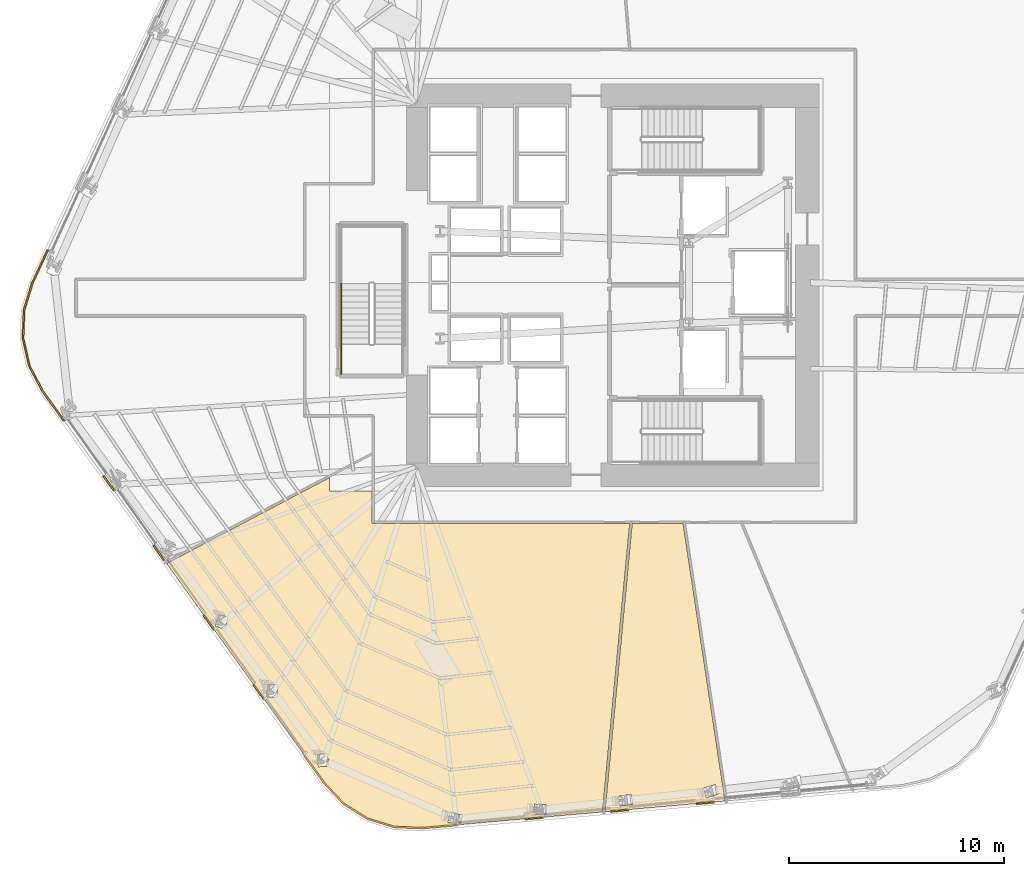
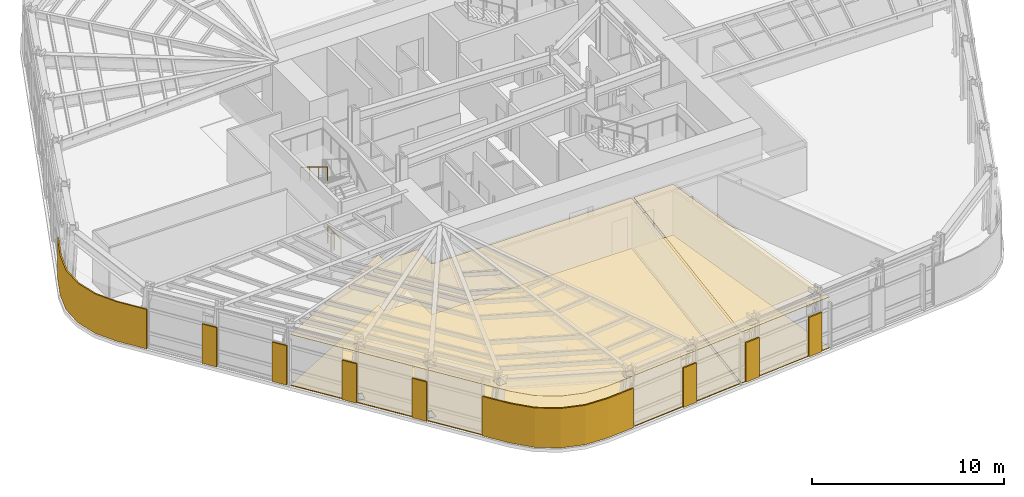
# One storey, part 10 of 16: 13 coverings, 2 railings.
"""IFC4 building model written with IfcOpenShell, lengths in metres."""

import ifcopenshell
import ifcopenshell.guid

model = None  # the IFC model being written
_history = None  # IfcOwnerHistory: only IFC2X3 demands one
_inside = {}  # id of a spatial element -> (the spatial element, [elements in it])
_under = {}  # id of a project, library or spatial element -> (it, [spatial elements below it])
_declared = {}  # id of a project -> (the project, [libraries it declares])
_typed = {}  # id of a type object -> (the type object, [elements of that type])
_made_of = {}  # id of a material, layer set ... -> (it, [elements and type objects made of it])


def new_model(schema):
    """Start an empty IFC model of exactly this schema.

    Asked for "IFC4X3", IfcOpenShell would pick the latest addendum, in which some entities
    have other attributes; the version numbers below select the first issue.
    IFC2X3 requires an IfcOwnerHistory on every rooted entity: one is made here for all.
    """
    global model, _history
    if schema == "IFC4X3":
        model = ifcopenshell.file(schema_version=(4, 3, 0, 0))
    else:
        model = ifcopenshell.file(schema=schema)
    _inside.clear()
    _under.clear()
    _declared.clear()
    _typed.clear()
    _made_of.clear()
    _history = None
    if model.schema == "IFC2X3":
        org = make("IfcOrganization", Name="unknown")
        user = make(
            "IfcPersonAndOrganization",
            ThePerson=make("IfcPerson", FamilyName="unknown"),
            TheOrganization=org,
        )
        app = make(
            "IfcApplication",
            ApplicationDeveloper=org,
            Version="unknown",
            ApplicationFullName="unknown",
            ApplicationIdentifier="unknown",
        )
        _history = make(
            "IfcOwnerHistory",
            OwningUser=user,
            OwningApplication=app,
            ChangeAction="ADDED",
            CreationDate=0,
        )
    return model


def make(cls, **values):
    """One entity of the class cls with the attributes given. An attribute that is None is left unset."""
    return model.create_entity(
        cls, **{name: value for name, value in values.items() if value is not None}
    )


def rooted(cls, **values):
    """An entity with a GlobalId (a new one), such as an element, a storey or a relation."""
    return make(cls, GlobalId=ifcopenshell.guid.new(), OwnerHistory=_history, **values)


def si_unit(unit_type, name, prefix=None):
    """IfcSIUnit, for example si_unit("LENGTHUNIT", "METRE", prefix="MILLI")."""
    return make("IfcSIUnit", UnitType=unit_type, Prefix=prefix, Name=name)


def assignment(units):
    """IfcUnitAssignment: the units of a project."""
    return None if units is None else make("IfcUnitAssignment", Units=units)


def point(xyz):
    """IfcCartesianPoint."""
    return None if xyz is None else make("IfcCartesianPoint", Coordinates=xyz)


def direction(xyz):
    """IfcDirection."""
    return None if xyz is None else make("IfcDirection", DirectionRatios=xyz)


def frame(location, z_axis=None, x_axis=None):
    """IfcAxis2Placement3D, a coordinate frame: its origin and axes. An axis left out is left unset."""
    return make(
        "IfcAxis2Placement3D",
        Location=point(location),
        Axis=direction(z_axis),
        RefDirection=direction(x_axis),
    )


def frame_2d(location, x_axis=None):
    """IfcAxis2Placement2D, a coordinate frame in the plane: its origin and x axis."""
    return make(
        "IfcAxis2Placement2D", Location=point(location), RefDirection=direction(x_axis)
    )


def origin():
    """The frame at (0, 0, 0) with its axes left unset."""
    return frame((0.0, 0.0, 0.0))


def origin_2d():
    """The frame at (0, 0) in the plane with its x axis left unset."""
    return frame_2d((0.0, 0.0))


def place(relative_to, where):
    """IfcLocalPlacement: puts the frame where relative to a parent placement (None: the world)."""
    return make(
        "IfcLocalPlacement", PlacementRelTo=relative_to, RelativePlacement=where
    )


def context(
    kind, dimensions, precision=None, world=None, true_north=None, identifier=None
):
    """IfcGeometricRepresentationContext, for example the 3D "Model" context."""
    return make(
        "IfcGeometricRepresentationContext",
        ContextIdentifier=identifier,
        ContextType=kind,
        CoordinateSpaceDimension=dimensions,
        Precision=precision,
        WorldCoordinateSystem=world,
        TrueNorth=true_north,
    )


def subcontext(parent, identifier, kind, view, scale=None):
    """IfcGeometricRepresentationSubContext, for example "Body" below "Model"."""
    return make(
        "IfcGeometricRepresentationSubContext",
        ContextIdentifier=identifier,
        ContextType=kind,
        ParentContext=parent,
        TargetScale=scale,
        TargetView=view,
    )


def project(units=None, contexts=None):
    """IfcProject with its units and contexts."""
    return rooted(
        "IfcProject",
        Name="project",
        RepresentationContexts=contexts,
        UnitsInContext=assignment(units),
    )


def spatial(cls, under=None, at=None, **own):
    """A site, building, storey or space (cls), placed at a placement, below another one or the project."""
    s = rooted(cls, ObjectPlacement=at, **own)
    if under is not None:
        _under.setdefault(under.id(), (under, []))[1].append(s)
    return s


def polyline(points):
    """IfcPolyline through the points."""
    return make("IfcPolyline", Points=[point(p) for p in points])


def profile(cls, at=None, kind="AREA", **sizes):
    """A parametric profile (cls). Its sizes go by their IFC names, for example OverallWidth=200.0."""
    return make(cls, ProfileType=kind, Position=at, **sizes)


def circle(**sizes):
    """IfcCircleProfileDef."""
    return profile("IfcCircleProfileDef", **sizes)


def outline(outer, holes=None, kind="AREA"):
    """IfcArbitraryClosedProfileDef: a profile drawn as a closed curve; with holes, ...WithVoids."""
    if holes is None:
        return make("IfcArbitraryClosedProfileDef", ProfileType=kind, OuterCurve=outer)
    return make(
        "IfcArbitraryProfileDefWithVoids",
        ProfileType=kind,
        OuterCurve=outer,
        InnerCurves=holes,
    )


def extrude(swept, where, along, depth):
    """IfcExtrudedAreaSolid: the profile swept, set in the frame where, extruded along a direction by depth."""
    return make(
        "IfcExtrudedAreaSolid",
        SweptArea=swept,
        Position=where,
        ExtrudedDirection=direction(along),
        Depth=depth,
    )


def shape(context_of_items, identifier, shape_type, items):
    """IfcShapeRepresentation: the items that make up one representation, for example the "Body"."""
    return make(
        "IfcShapeRepresentation",
        ContextOfItems=context_of_items,
        RepresentationIdentifier=identifier,
        RepresentationType=shape_type,
        Items=items,
    )


def material(Name=None, Category=None):
    """IfcMaterial."""
    return make("IfcMaterial", Name=Name, Category=Category)


def layer(
    of_material, thickness, ventilated=None, Name=None, Category=None, Priority=None
):
    """IfcMaterialLayer: one layer of a wall or slab, of a material (None: an air gap)."""
    return make(
        "IfcMaterialLayer",
        Material=of_material,
        LayerThickness=thickness,
        IsVentilated=ventilated,
        Name=Name,
        Category=Category,
        Priority=Priority,
    )


def layer_set(layers, Name=None):
    """IfcMaterialLayerSet."""
    return make("IfcMaterialLayerSet", MaterialLayers=layers, LayerSetName=Name)


def made_of(thing, what):
    """Note that an element or type object is made of a material, layer set ...; save() writes the relation."""
    if what is not None:
        _made_of.setdefault(what.id(), (what, []))[1].append(thing)
    return thing


def type_object(cls, material=None, **own):
    """A type object (cls), such as IfcWallType, which elements share."""
    return made_of(rooted(cls, **own), material)


def element(
    cls,
    number,
    at=None,
    inside=None,
    cuts=None,
    type_object=None,
    material=None,
    context=None,
    identifier="Body",
    shape_type=None,
    held_by="IfcProductDefinitionShape",
    body=None,
    shapes=None,
    **own,
):
    """One element of the class cls, such as IfcWall. Its Tag is "e" and its number.

    at: its placement. inside: the storey or other place that contains it. cuts: it is an
    opening in that element (IfcRelVoidsElement). A single representation is given by context,
    identifier, shape_type and body (its items); several are given by shapes. held_by: the class
    of the entity that holds the representations. save() writes the other relations.
    """
    e = rooted(cls, Tag="e%d" % number, ObjectPlacement=at, **own)
    if body is not None:
        shapes = [shape(context, identifier, shape_type, body)]
    if shapes is not None:
        e.Representation = make(held_by, Representations=shapes)
    if inside is not None:
        _inside.setdefault(inside.id(), (inside, []))[1].append(e)
    if cuts is not None:
        rooted(
            "IfcRelVoidsElement", RelatingBuildingElement=cuts, RelatedOpeningElement=e
        )
    if type_object is not None:
        _typed.setdefault(type_object.id(), (type_object, []))[1].append(e)
    return made_of(e, material)


def aggregate(whole, parts):
    """IfcRelAggregates: a whole, such as a stair, and the parts it consists of."""
    return rooted("IfcRelAggregates", RelatingObject=whole, RelatedObjects=parts)


def save(model, path):
    """Write the relations noted so far, then the file.

    IfcRelAggregates (storeys below a building ...), IfcRelContainedInSpatialStructure (elements
    in a storey), IfcRelDefinesByType, IfcRelAssociatesMaterial and IfcRelDeclares: one each for
    every whole, place, type object, material and project.
    """
    for whole, parts in _under.values():
        aggregate(whole, parts)
    for where, things in _inside.values():
        rooted(
            "IfcRelContainedInSpatialStructure",
            RelatedElements=things,
            RelatingStructure=where,
        )
    for kind, things in _typed.values():
        rooted("IfcRelDefinesByType", RelatedObjects=things, RelatingType=kind)
    for what, things in _made_of.values():
        rooted("IfcRelAssociatesMaterial", RelatedObjects=things, RelatingMaterial=what)
    for by, libraries in _declared.values():
        rooted("IfcRelDeclares", RelatingContext=by, RelatedDefinitions=libraries)
    model.write(path)


model = new_model("IFC4")

# Units and contexts
model_context = context("Model", 3, precision=1e-05, world=origin(), true_north=direction((0.0, 1.0)))
body_context = subcontext(model_context, "Body", "Model", "MODEL_VIEW")
ifc_project = project(units=[si_unit("LENGTHUNIT", "METRE"), si_unit("AREAUNIT", "SQUARE_METRE"), si_unit("VOLUMEUNIT", "CUBIC_METRE"), si_unit("PLANEANGLEUNIT", "RADIAN"), si_unit("MASSUNIT", "GRAM", prefix="KILO")], contexts=[model_context])

# Site, building, storey
site_placement = place(None, origin())
site = spatial("IfcSite", under=ifc_project, at=site_placement, CompositionType="ELEMENT")
building_placement = place(site_placement, origin())
building = spatial("IfcBuilding", under=site, at=building_placement, Name="Valkerne Bourse Tower", CompositionType="ELEMENT")
storey_placement = place(building_placement, frame((0.0, 0.0, 46.800048828125)))
storey = spatial("IfcBuildingStorey", under=building, at=storey_placement, Name="L11", CompositionType="ELEMENT", Elevation=46.800048828125)

# Coverings
ifc_material_1 = material(Name="Mineral Fiber Acoustic Ceiling Tile", Category="acoustic")
ifc_layer_1 = layer(ifc_material_1, 0.02490234375)
ifc_layer_set_1 = layer_set([ifc_layer_1], Name="Mineral Fiber Acoustic Ceiling Tile")
covering_type_1 = type_object("IfcCoveringType", Name="COV-CEIL-ACT", PredefinedType="CEILING", material=ifc_layer_set_1)
covering_1_placement = place(storey_placement, frame((0.0, 0.0, 3.22998046875)))
element("IfcCovering", 1, at=covering_1_placement, inside=storey, type_object=covering_type_1, Name="L11 Suspended Ceiling 03", PredefinedType="CEILING", context=body_context, shape_type="SweptSolid", body=[
    extrude(outline(polyline([(50.07080078125, 15.781005859375), (52.025146484375, 2.857177734375), (46.43408203125, 2.359130859375), (47.70263671875, 15.781005859375), (50.07080078125, 15.781005859375)]), holes=[polyline([(47.138916015625, 2.630126953125), (47.709228515625, 2.695556640625), (47.656982421875, 3.1552734375), (47.653564453125, 3.155029296875), (47.083251953125, 3.08984375), (47.135498046875, 2.630126953125), (47.138916015625, 2.630126953125)]), polyline([(51.15869140625, 3.020751953125), (51.71044921875, 3.17919921875), (51.5830078125, 3.6240234375), (51.57958984375, 3.623291015625), (51.02783203125, 3.46484375), (51.155029296875, 3.02001953125), (51.15869140625, 3.020751953125)])]), origin(), (0.0, 0.0, 1.0), 0.02490234375),
])
covering_2_placement = place(storey_placement, frame((0.0, 0.0, 3.22998046875)))
element("IfcCovering", 2, at=covering_2_placement, inside=storey, type_object=covering_type_1, Name="L11 Suspended Ceiling 05", PredefinedType="CEILING", context=body_context, shape_type="SweptSolid", body=[
    extrude(outline(polyline([(35.373046875, 2.041259765625), (34.255126953125, 2.742431640625), (33.35009765625, 3.71630859375), (26.017333984375, 13.91748046875), (26.314453125, 14.074462890625), (26.317626953125, 14.072998046875), (26.3193359375, 14.076904296875), (33.60009765625, 17.918701171875), (33.60009765625, 17.300048828125), (35.5810546875, 17.300048828125), (35.5810546875, 15.849365234375), (35.5947265625, 15.808349609375), (35.632568359375, 15.783203125), (47.584228515625, 15.781005859375), (46.314453125, 2.348388671875), (39.68994140625, 1.75830078125), (39.779296875, 2.203857421875), (39.775634765625, 2.205078125), (39.213134765625, 2.3173828125), (39.1220703125, 1.863525390625), (39.125732421875, 1.862548828125), (39.660888671875, 1.755615234375), (37.962646484375, 1.6044921875), (36.63427734375, 1.6533203125), (35.373046875, 2.041259765625)]), holes=[polyline([(33.508544921875, 5.0546875), (33.50537109375, 5.056884765625), (33.045654296875, 5.02490234375), (33.08251953125, 4.4501953125), (33.085693359375, 4.447998046875), (33.54541015625, 4.47998046875), (33.508544921875, 5.0546875)]), polyline([(31.190185546875, 8.247802734375), (30.73046875, 8.284912109375), (30.681396484375, 7.7109375), (30.68408203125, 7.708740234375), (31.143798828125, 7.671630859375), (31.19287109375, 8.24560546875), (31.190185546875, 8.247802734375)]), polyline([(28.874267578125, 11.4267578125), (28.871826171875, 11.429443359375), (28.42431640625, 11.5400390625), (28.283447265625, 10.9814453125), (28.285888671875, 10.978759765625), (28.7333984375, 10.8681640625), (28.874267578125, 11.4267578125)]), polyline([(43.719482421875, 2.680908203125), (43.146240234375, 2.708251953125), (43.123779296875, 2.24609375), (43.12744140625, 2.24560546875), (43.70068359375, 2.21826171875), (43.72314453125, 2.680419921875), (43.719482421875, 2.680908203125)])]), origin(), (0.0, 0.0, 1.0), 0.02490234375),
])
ifc_material_2 = material(Name="Bronze Anodised Aluminium AA 6063-T6", Category="aluminium")
ifc_layer_2 = layer(ifc_material_2, 0.06005859375)
ifc_layer_set_2 = layer_set([ifc_layer_2], Name="Bronze Anodised Aluminium AA 6063-T6")
covering_type_2 = type_object("IfcCoveringType", Name="COV-CRN-ALUM", PredefinedType="CLADDING", material=ifc_layer_set_2)
covering_3_placement = place(storey_placement, origin())
element("IfcCovering", 3, at=covering_3_placement, inside=storey, type_object=covering_type_2, Name="L11 Wind-Shaped Corner Aluminium Cladding 03", PredefinedType="CLADDING", context=body_context, shape_type="SweptSolid", body=[
    extrude(outline(polyline([(50.682861328125, 2.693359375), (50.67529296875, 2.773193359375), (51.511962890625, 2.84765625), (51.519287109375, 2.76806640625), (50.682861328125, 2.693359375)])), origin(), (0.0, 0.0, 1.0), 2.5),
])
covering_4_placement = place(storey_placement, origin())
element("IfcCovering", 4, at=covering_4_placement, inside=storey, type_object=covering_type_2, Name="L11 Wind-Shaped Corner Aluminium Cladding 04", PredefinedType="CLADDING", context=body_context, shape_type="SweptSolid", body=[
    extrude(outline(polyline([(46.702392578125, 2.3388671875), (46.69482421875, 2.41845703125), (47.531494140625, 2.492919921875), (47.5390625, 2.413330078125), (46.702392578125, 2.3388671875)])), origin(), (0.0, 0.0, 1.0), 2.5),
])
covering_5_placement = place(storey_placement, origin())
element("IfcCovering", 5, at=covering_5_placement, inside=storey, type_object=covering_type_2, Name="L11 Wind-Shaped Corner Aluminium Cladding 05", PredefinedType="CLADDING", context=body_context, shape_type="SweptSolid", body=[
    extrude(outline(polyline([(42.72216796875, 1.984375), (42.714599609375, 2.06396484375), (43.55126953125, 2.138427734375), (43.55859375, 2.058837890625), (42.72216796875, 1.984375)])), origin(), (0.0, 0.0, 1.0), 2.5),
])
covering_6_placement = place(storey_placement, origin())
element("IfcCovering", 6, at=covering_6_placement, inside=storey, type_object=covering_type_2, Name="L11 Wind-Shaped Corner Aluminium Cladding 06", PredefinedType="CLADDING", context=body_context, shape_type="SweptSolid", body=[
    extrude(outline(polyline([(37.9638671875, 1.560302734375), (36.626708984375, 1.609375), (35.3544921875, 2.000732421875), (34.226806640625, 2.708251953125), (33.31591796875, 3.6884765625), (32.369873046875, 5.004638671875), (32.43505859375, 5.05078125), (33.378173828125, 3.739013671875), (34.2783203125, 2.7705078125), (35.38818359375, 2.07421875), (36.640380859375, 1.68896484375), (37.9619140625, 1.640380859375), (39.571044921875, 1.78369140625), (39.57861328125, 1.7041015625), (37.9638671875, 1.560302734375)])), origin(), (0.0, 0.0, 1.0), 2.5),
])
covering_7_placement = place(storey_placement, origin())
element("IfcCovering", 7, at=covering_7_placement, inside=storey, type_object=covering_type_2, Name="L11 Wind-Shaped Corner Aluminium Cladding 07", PredefinedType="CLADDING", context=body_context, shape_type="SweptSolid", body=[
    extrude(outline(polyline([(30.03759765625, 8.249267578125), (30.102783203125, 8.295654296875), (30.593017578125, 7.613525390625), (30.52783203125, 7.567138671875), (30.03759765625, 8.249267578125)])), origin(), (0.0, 0.0, 1.0), 2.5),
])
covering_8_placement = place(storey_placement, origin())
element("IfcCovering", 8, at=covering_8_placement, inside=storey, type_object=covering_type_2, Name="L11 Wind-Shaped Corner Aluminium Cladding 08", PredefinedType="CLADDING", context=body_context, shape_type="SweptSolid", body=[
    extrude(outline(polyline([(27.705078125, 11.494140625), (27.7705078125, 11.540283203125), (28.260498046875, 10.8583984375), (28.1953125, 10.81201171875), (27.705078125, 11.494140625)])), origin(), (0.0, 0.0, 1.0), 2.5),
])
covering_9_placement = place(storey_placement, origin())
element("IfcCovering", 9, at=covering_9_placement, inside=storey, type_object=covering_type_2, Name="L11 Wind-Shaped Corner Aluminium Cladding 09", PredefinedType="CLADDING", context=body_context, shape_type="SweptSolid", body=[
    extrude(outline(polyline([(25.372802734375, 14.73876953125), (25.43798828125, 14.78515625), (25.92822265625, 14.10302734375), (25.863037109375, 14.056640625), (25.372802734375, 14.73876953125)])), origin(), (0.0, 0.0, 1.0), 2.5),
])
covering_10_placement = place(storey_placement, origin())
element("IfcCovering", 10, at=covering_10_placement, inside=storey, type_object=covering_type_2, Name="L11 Wind-Shaped Corner Aluminium Cladding 10", PredefinedType="CLADDING", context=body_context, shape_type="SweptSolid", body=[
    extrude(outline(polyline([(23.040283203125, 17.983642578125), (23.105712890625, 18.030029296875), (23.595947265625, 17.347900390625), (23.53076171875, 17.301513671875), (23.040283203125, 17.983642578125)])), origin(), (0.0, 0.0, 1.0), 2.5),
])
covering_11_placement = place(storey_placement, origin())
element("IfcCovering", 11, at=covering_11_placement, inside=storey, type_object=covering_type_2, Name="L11 Wind-Shaped Corner Aluminium Cladding 11", PredefinedType="CLADDING", context=body_context, shape_type="SweptSolid", body=[
    extrude(outline(polyline([(20.2109375, 21.919921875), (19.585205078125, 23.101806640625), (19.287841796875, 24.3994140625), (19.336669921875, 25.7294921875), (19.72998046875, 27.008056640625), (20.4423828125, 28.5419921875), (20.51513671875, 28.5087890625), (19.8046875, 26.979248046875), (19.416259765625, 25.716064453125), (19.3681640625, 24.406982421875), (19.660888671875, 23.1298828125), (20.279052734375, 21.962158203125), (21.263427734375, 20.592529296875), (21.1982421875, 20.54638671875), (20.2109375, 21.919921875)])), origin(), (0.0, 0.0, 1.0), 2.5),
])
ifc_material_3 = material(Name="Galvanised Painted Steel", Category="steel")
ifc_layer_3 = layer(ifc_material_3, 0.044921875)
ifc_layer_set_3 = layer_set([ifc_layer_3], Name="Galvanised Painted Steel")
covering_type_3 = type_object("IfcCoveringType", Name="COV-FLR-RAF", PredefinedType="FLOORING", material=ifc_layer_set_3)
covering_12_placement = place(storey_placement, origin())
element("IfcCovering", 12, at=covering_12_placement, inside=storey, type_object=covering_type_3, Name="L11 Floor Finish 05", PredefinedType="FLOORING", context=body_context, shape_type="SweptSolid", body=[
    extrude(outline(polyline([(35.373046875, 2.041259765625), (34.255126953125, 2.742431640625), (33.35009765625, 3.71630859375), (26.017333984375, 13.91748046875), (26.314453125, 14.074462890625), (26.317626953125, 14.072998046875), (26.3193359375, 14.076904296875), (33.60009765625, 17.918701171875), (33.60009765625, 17.300048828125), (35.5810546875, 17.300048828125), (35.5810546875, 15.849365234375), (35.5947265625, 15.808349609375), (35.632568359375, 15.783203125), (47.584228515625, 15.781005859375), (46.314453125, 2.348388671875), (39.68994140625, 1.75830078125), (39.779296875, 2.203857421875), (39.775634765625, 2.205078125), (39.213134765625, 2.3173828125), (39.1220703125, 1.863525390625), (39.125732421875, 1.862548828125), (39.660888671875, 1.755615234375), (37.962646484375, 1.6044921875), (36.63427734375, 1.6533203125), (35.373046875, 2.041259765625)]), holes=[polyline([(33.508544921875, 5.0546875), (33.50537109375, 5.056884765625), (33.045654296875, 5.02490234375), (33.08251953125, 4.4501953125), (33.085693359375, 4.447998046875), (33.54541015625, 4.47998046875), (33.508544921875, 5.0546875)]), polyline([(31.190185546875, 8.247802734375), (30.73046875, 8.284912109375), (30.681396484375, 7.7109375), (30.68408203125, 7.708740234375), (31.143798828125, 7.671630859375), (31.19287109375, 8.24560546875), (31.190185546875, 8.247802734375)]), polyline([(28.874267578125, 11.4267578125), (28.871826171875, 11.429443359375), (28.42431640625, 11.5400390625), (28.283447265625, 10.9814453125), (28.285888671875, 10.978759765625), (28.7333984375, 10.8681640625), (28.874267578125, 11.4267578125)]), polyline([(43.719482421875, 2.680908203125), (43.146240234375, 2.708251953125), (43.123779296875, 2.24609375), (43.12744140625, 2.24560546875), (43.70068359375, 2.21826171875), (43.72314453125, 2.680419921875), (43.719482421875, 2.680908203125)])]), origin(), (0.0, 0.0, 1.0), 0.044921875),
])
ifc_material_4 = material(Name="Polished Granite Stone", Category="masonry")
ifc_layer_4 = layer(ifc_material_4, 0.030029296875)
ifc_layer_set_4 = layer_set([ifc_layer_4], Name="Polished Granite Stone")
covering_type_4 = type_object("IfcCoveringType", Name="COV-FLR-TERRAZZO", PredefinedType="FLOORING", material=ifc_layer_set_4)
covering_13_placement = place(storey_placement, origin())
element("IfcCovering", 13, at=covering_13_placement, inside=storey, type_object=covering_type_4, Name="L11 Floor Finish 03", PredefinedType="FLOORING", context=body_context, shape_type="SweptSolid", body=[
    extrude(outline(polyline([(50.07080078125, 15.781005859375), (52.025146484375, 2.857177734375), (46.43408203125, 2.359130859375), (47.70263671875, 15.781005859375), (50.07080078125, 15.781005859375)]), holes=[polyline([(47.138916015625, 2.630126953125), (47.709228515625, 2.695556640625), (47.656982421875, 3.1552734375), (47.653564453125, 3.155029296875), (47.083251953125, 3.08984375), (47.135498046875, 2.630126953125), (47.138916015625, 2.630126953125)]), polyline([(51.15869140625, 3.020751953125), (51.71044921875, 3.17919921875), (51.5830078125, 3.6240234375), (51.57958984375, 3.623291015625), (51.02783203125, 3.46484375), (51.155029296875, 3.02001953125), (51.15869140625, 3.020751953125)])]), origin(), (0.0, 0.0, 1.0), 0.030029296875),
])

# Railings
railing_type_1 = type_object("IfcRailingType", Name="RLG-ST-GUARD-1120", PredefinedType="GUARDRAIL", material=ifc_material_3)
railing_1_placement = place(storey_placement, frame((34.14990234375, 22.75, 0.0)))
element("IfcRailing", 14, at=railing_1_placement, inside=storey, type_object=railing_type_1, Name="L11 ST-3 stair guard 9", PredefinedType="GUARDRAIL", context=body_context, shape_type="SweptSolid", body=[
    extrude(circle(Radius=0.02392578125, at=origin_2d()), frame((0.0, 0.0, 1.09619140625), z_axis=(0.0, 1.0, 0.0), x_axis=(-1.0, 0.0, 0.0)), (0.0, 0.0, 1.0), 1.39990234375),
    extrude(circle(Radius=0.02099609375, at=origin_2d()), origin(), (0.0, 0.0, 1.0), 1.072021484375),
    extrude(circle(Radius=0.02099609375, at=origin_2d()), frame((0.0, 0.699951171875, 0.0)), (0.0, 0.0, 1.0), 1.072021484375),
    extrude(circle(Radius=0.02099609375, at=origin_2d()), frame((0.0, 1.39990234375, 0.0)), (0.0, 0.0, 1.0), 1.072021484375),
])
ifc_material_5 = material(Name="Stainless Steel AISI 316", Category="steel")
railing_type_2 = type_object("IfcRailingType", Name="RLG-ST-HANDRAIL-900", PredefinedType="HANDRAIL", material=ifc_material_5)
railing_2_placement = place(storey_placement, frame((34.14990234375, 26.949951171875, 2.245361328125)))
element("IfcRailing", 15, at=railing_2_placement, inside=storey, type_object=railing_type_2, Name="L11 ST-3 stair handrail 2", PredefinedType="HANDRAIL", context=body_context, shape_type="SweptSolid", body=[
    extrude(circle(Radius=0.02392578125, at=origin_2d()), frame((0.0, 0.0, 0.8759765625), z_axis=(0.0, -0.851089632645, 0.525020415988), x_axis=(1.0, 0.0, 0.0)), (0.0, 0.0, 1.0), 3.2900390625),
    extrude(circle(Radius=0.02099609375, at=origin_2d()), origin(), (0.0, 0.0, 1.0), 0.851806640625),
    extrude(circle(Radius=0.02099609375, at=origin_2d()), frame((0.0, -0.933349609375, 0.57568359375)), (0.0, 0.0, 1.0), 0.851806640625),
    extrude(circle(Radius=0.02099609375, at=origin_2d()), frame((0.0, -1.86669921875, 1.151611328125)), (0.0, 0.0, 1.0), 0.851806640625),
    extrude(circle(Radius=0.02099609375, at=origin_2d()), frame((0.0, -2.800048828125, 1.727294921875)), (0.0, 0.0, 1.0), 0.851806640625),
])

save(model, "model.ifc")
